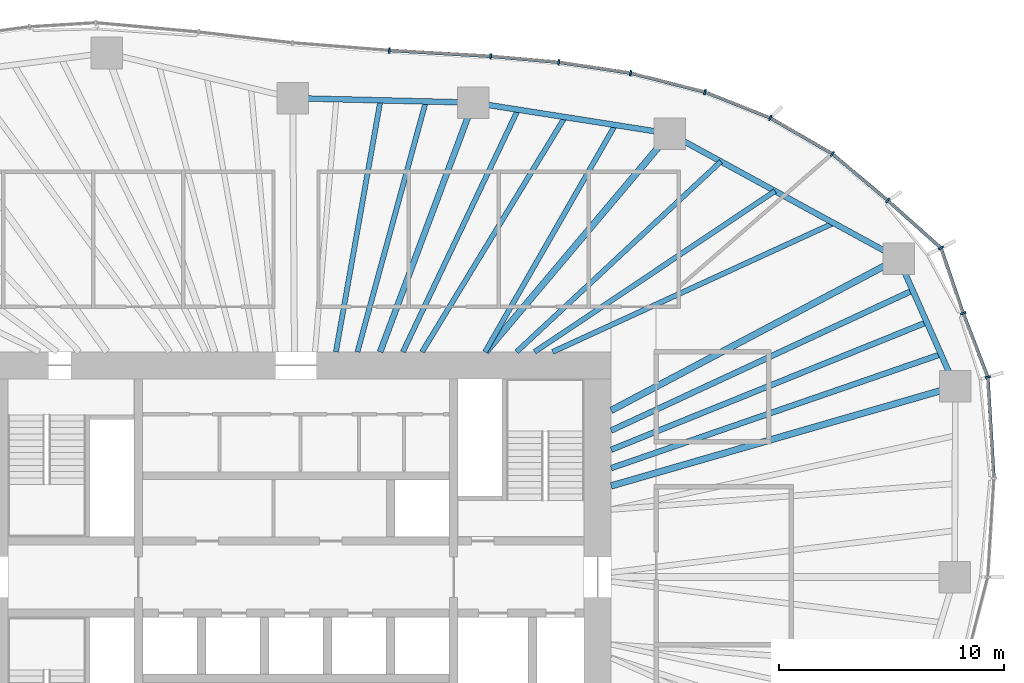
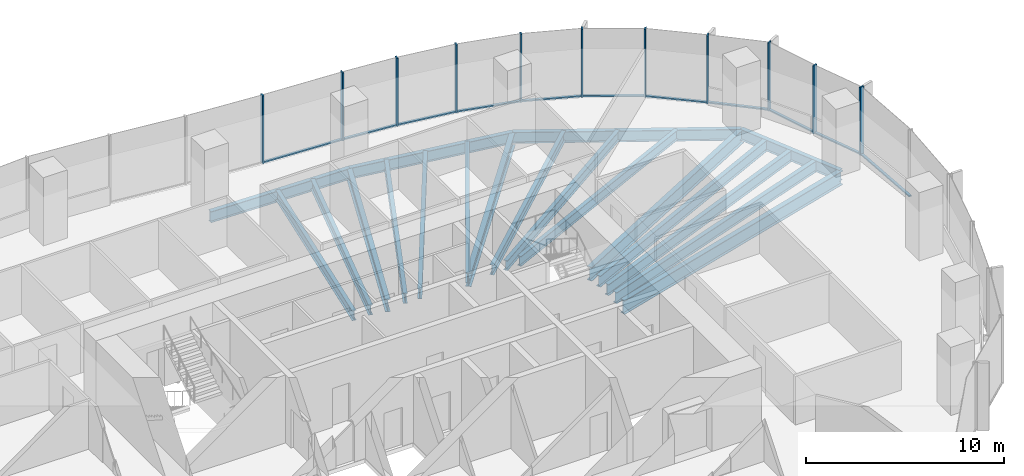
# One storey, part 6 of 18: 22 members, 19 beams, 5 elements without a shape of their own.
"""IFC4 building model written with IfcOpenShell, lengths in metres."""

from ifc_helpers import new_model, si_unit, direction, frame, origin, origin_2d, place, context, subcontext, project, spatial, rectangle, i_section, extrude, material, material_profile, profile_set, type_object, element, aggregate, save


model = new_model("IFC4")

# Units and contexts
model_context = context("Model", 3, precision=1e-05, world=origin(), true_north=direction((0.0, 1.0)))
body_context = subcontext(model_context, "Body", "Model", "MODEL_VIEW")
ifc_project = project(units=[si_unit("LENGTHUNIT", "METRE"), si_unit("AREAUNIT", "SQUARE_METRE"), si_unit("VOLUMEUNIT", "CUBIC_METRE"), si_unit("PLANEANGLEUNIT", "RADIAN"), si_unit("MASSUNIT", "GRAM", prefix="KILO")], contexts=[model_context])

# Site, building, storey
site_placement = place(None, origin())
site = spatial("IfcSite", under=ifc_project, at=site_placement, CompositionType="ELEMENT")
building_placement = place(site_placement, origin())
building = spatial("IfcBuilding", under=site, at=building_placement, Name="Ghaith Harvest Tower", CompositionType="ELEMENT")
storey_placement = place(building_placement, frame((0.0, 0.0, 172.199951171875)))
storey = spatial("IfcBuildingStorey", under=building, at=storey_placement, Name="L37", CompositionType="ELEMENT", Elevation=172.199951171875)

# Curtain wall, members
ifc_material_1 = material(Name="Black anodised aluminium and fritted glass", Category="aluminium")
curtain_wall_type = type_object("IfcCurtainWallType", Name="CW-L CURTAIN WALL", PredefinedType="NOTDEFINED", material=ifc_material_1)
curtain_wall_1_placement = place(storey_placement, origin())
curtain_wall_1 = element("IfcCurtainWall", 1, at=curtain_wall_1_placement, inside=storey, type_object=curtain_wall_type, Name="Curtain wall CW-L bay 02 L37", PredefinedType="NOTDEFINED")
ifc_material_2 = material(Name="Aluminium, black anodised", Category="aluminium")
ifc_material_profile_1 = material_profile(ifc_material_2, rectangle(XDim=0.080078125, YDim=0.239990234375, at=origin_2d()), Name="CW-L MULLION 80x240")
ifc_profile_set_1 = profile_set([ifc_material_profile_1], Name="Aluminium, black anodised")
member_type_1 = type_object("IfcMemberType", Name="CW-L MULLION 80x240", PredefinedType="MULLION", material=ifc_profile_set_1)
member_1_placement = place(storey_placement, frame((30.727294921875, 8.880859375, 0.0), z_axis=(0.0, 0.0, 1.0), x_axis=(-0.183070248196, 0.983099834313, 0.0)))
member_1 = element("IfcMember", 2, at=member_1_placement, type_object=member_type_1, Name="CW-L mullion 1 bay 02 L37", PredefinedType="MULLION", context=body_context, shape_type="SweptSolid", body=[
    extrude(rectangle(XDim=0.080078125, YDim=0.239990234375, at=origin_2d()), origin(), (0.0, 0.0, 1.0), 4.199951171875),
])
member_2_placement = place(storey_placement, frame((29.634521484375, 11.7158203125, 0.0), z_axis=(0.0, 0.0, 1.0), x_axis=(-0.340771198528, 0.940146260033, 0.0)))
member_2 = element("IfcMember", 3, at=member_2_placement, type_object=member_type_1, Name="CW-L mullion 2 bay 02 L37", PredefinedType="MULLION", context=body_context, shape_type="SweptSolid", body=[
    extrude(rectangle(XDim=0.080078125, YDim=0.239990234375, at=origin_2d()), origin(), (0.0, 0.0, 1.0), 4.199951171875),
])
member_3_placement = place(storey_placement, frame((28.64990234375, 14.61181640625, 0.0), z_axis=(0.0, 0.0, 1.0), x_axis=(-0.556324287652, 0.830965274225, 0.0)))
member_3 = element("IfcMember", 4, at=member_3_placement, type_object=member_type_1, Name="CW-L mullion 3 bay 02 L37", PredefinedType="MULLION", context=body_context, shape_type="SweptSolid", body=[
    extrude(rectangle(XDim=0.080078125, YDim=0.239990234375, at=origin_2d()), origin(), (0.0, 0.0, 1.0), 4.199951171875),
])

curtain_wall_2_placement = place(storey_placement, origin())
curtain_wall_2 = element("IfcCurtainWall", 5, at=curtain_wall_2_placement, inside=storey, type_object=curtain_wall_type, Name="Curtain wall CW-L bay 03 L37", PredefinedType="NOTDEFINED")
member_4_placement = place(storey_placement, frame((26.28076171875, 16.725341796875, 0.0), z_axis=(0.0, 0.0, 1.0), x_axis=(-0.755999423268, 0.654572281737, 0.0)))
member_4 = element("IfcMember", 6, at=member_4_placement, type_object=member_type_1, Name="CW-L mullion 1 bay 03 L37", PredefinedType="MULLION", context=body_context, shape_type="SweptSolid", body=[
    extrude(rectangle(XDim=0.080078125, YDim=0.239990234375, at=origin_2d()), origin(), (0.0, 0.0, 1.0), 4.199951171875),
])
member_5_placement = place(storey_placement, frame((23.82177734375, 18.792236328125, 0.0), z_axis=(0.0, 0.0, 1.0), x_axis=(-0.818228862146, 0.574892624018, 0.0)))
member_5 = element("IfcMember", 7, at=member_5_placement, type_object=member_type_1, Name="CW-L mullion 2 bay 03 L37", PredefinedType="MULLION", context=body_context, shape_type="SweptSolid", body=[
    extrude(rectangle(XDim=0.080078125, YDim=0.239990234375, at=origin_2d()), origin(), (0.0, 0.0, 1.0), 4.199951171875),
])
member_6_placement = place(storey_placement, frame((21.066162109375, 20.38916015625, 0.0), z_axis=(0.0, 0.0, 1.0), x_axis=(-0.899713343282, 0.436481270985, 0.0)))
member_6 = element("IfcMember", 8, at=member_6_placement, type_object=member_type_1, Name="CW-L mullion 3 bay 03 L37", PredefinedType="MULLION", context=body_context, shape_type="SweptSolid", body=[
    extrude(rectangle(XDim=0.080078125, YDim=0.239990234375, at=origin_2d()), origin(), (0.0, 0.0, 1.0), 4.199951171875),
])

curtain_wall_3_placement = place(storey_placement, origin())
curtain_wall_3 = element("IfcCurtainWall", 9, at=curtain_wall_3_placement, inside=storey, type_object=curtain_wall_type, Name="Curtain wall CW-L bay 04 L37", PredefinedType="NOTDEFINED")
member_7_placement = place(storey_placement, frame((18.162353515625, 21.537841796875, 0.0), z_axis=(0.0, 0.0, 1.0), x_axis=(-0.952152258113, 0.30562407852, 0.0)))
member_7 = element("IfcMember", 10, at=member_7_placement, type_object=member_type_1, Name="CW-L mullion 1 bay 04 L37", PredefinedType="MULLION", context=body_context, shape_type="SweptSolid", body=[
    extrude(rectangle(XDim=0.080078125, YDim=0.239990234375, at=origin_2d()), origin(), (0.0, 0.0, 1.0), 4.199951171875),
])
member_8_placement = place(storey_placement, frame((14.86474609375, 22.379638671875, 0.0), z_axis=(0.0, 0.0, 1.0), x_axis=(-0.979751952122, 0.200215165041, 0.0)))
member_8 = element("IfcMember", 11, at=member_8_placement, type_object=member_type_1, Name="CW-L mullion 2 bay 04 L37", PredefinedType="MULLION", context=body_context, shape_type="SweptSolid", body=[
    extrude(rectangle(XDim=0.080078125, YDim=0.239990234375, at=origin_2d()), origin(), (0.0, 0.0, 1.0), 4.199951171875),
])
member_9_placement = place(storey_placement, frame((11.672607421875, 22.864013671875, 0.0), z_axis=(0.0, 0.0, 1.0), x_axis=(-0.992800497873, 0.119779678673, 0.0)))
member_9 = element("IfcMember", 12, at=member_9_placement, type_object=member_type_1, Name="CW-L mullion 3 bay 04 L37", PredefinedType="MULLION", context=body_context, shape_type="SweptSolid", body=[
    extrude(rectangle(XDim=0.080078125, YDim=0.239990234375, at=origin_2d()), origin(), (0.0, 0.0, 1.0), 4.199951171875),
])

curtain_wall_4_placement = place(storey_placement, origin())
curtain_wall_4 = element("IfcCurtainWall", 13, at=curtain_wall_4_placement, inside=storey, type_object=curtain_wall_type, Name="Curtain wall CW-L bay 05 L37", PredefinedType="NOTDEFINED")
member_10_placement = place(storey_placement, frame((8.646728515625, 23.1298828125, 0.0), z_axis=(0.0, 0.0, 1.0), x_axis=(-0.997558767319, 0.069831982257, 0.0)))
member_10 = element("IfcMember", 14, at=member_10_placement, type_object=member_type_1, Name="CW-L mullion 1 bay 05 L37", PredefinedType="MULLION", context=body_context, shape_type="SweptSolid", body=[
    extrude(rectangle(XDim=0.080078125, YDim=0.239990234375, at=origin_2d()), origin(), (0.0, 0.0, 1.0), 4.199951171875),
])
member_11_placement = place(storey_placement, frame((4.146728515625, 23.390869140625, 0.0), z_axis=(0.0, 0.0, 1.0), x_axis=(-0.997689895047, 0.067932858925, 0.0)))
member_11 = element("IfcMember", 15, at=member_11_placement, type_object=member_type_1, Name="CW-L mullion 2 bay 05 L37", PredefinedType="MULLION", context=body_context, shape_type="SweptSolid", body=[
    extrude(rectangle(XDim=0.080078125, YDim=0.239990234375, at=origin_2d()), origin(), (0.0, 0.0, 1.0), 4.199951171875),
])

# Curtain wall, member
curtain_wall_5_placement = place(storey_placement, origin())
curtain_wall_5 = element("IfcCurtainWall", 16, at=curtain_wall_5_placement, inside=storey, type_object=curtain_wall_type, Name="Curtain wall CW-L bay 01 L37", PredefinedType="NOTDEFINED")
ifc_material_3 = material(Name="Aluminium, black anodised", Category="aluminium")
ifc_material_profile_2 = material_profile(ifc_material_3, rectangle(XDim=0.14990234375, YDim=0.080078125, at=origin_2d()), Name="CW-L TRANSOM 150x80")
ifc_profile_set_2 = profile_set([ifc_material_profile_2], Name="Aluminium, black anodised")
member_type_2 = type_object("IfcMemberType", Name="CW-L TRANSOM 150x80", PredefinedType="USERDEFINED", material=ifc_profile_set_2)
member_12_placement = place(storey_placement, frame((30.996337890625, 4.4296875, 0.0400390625), z_axis=(-0.060328261132, 0.99817859169, 0.0), x_axis=(-0.99817859169, -0.060328261132, 0.0)))
member_12 = element("IfcMember", 17, at=member_12_placement, type_object=member_type_2, Name="CW-L transom 2 bay 01 L37", ObjectType="TRANSOM", PredefinedType="USERDEFINED", context=body_context, shape_type="SweptSolid", body=[
    extrude(rectangle(XDim=0.14990234375, YDim=0.080078125, at=origin_2d()), origin(), (0.0, 0.0, 1.0), 4.419189453125),
])
aggregate(curtain_wall_5, [member_12])

# Member
member_13_placement = place(storey_placement, frame((30.712890625, 8.918212890625, 0.0400390625), z_axis=(-0.359637050526, 0.933092274048, 0.0), x_axis=(-0.933092274048, -0.359637050526, 0.0)))
member_13 = element("IfcMember", 18, at=member_13_placement, type_object=member_type_2, Name="CW-L transom 1 bay 02 L37", ObjectType="TRANSOM", PredefinedType="USERDEFINED", context=body_context, shape_type="SweptSolid", body=[
    extrude(rectangle(XDim=0.14990234375, YDim=0.080078125, at=origin_2d()), origin(), (0.0, 0.0, 1.0), 2.95849609375),
])

member_14_placement = place(storey_placement, frame((29.62158203125, 11.75390625, 0.0400390625), z_axis=(-0.321877752664, 0.946781237847, 0.0), x_axis=(-0.946781237847, -0.321877752664, 0.0)))
member_14 = element("IfcMember", 19, at=member_14_placement, type_object=member_type_2, Name="CW-L transom 2 bay 02 L37", ObjectType="TRANSOM", PredefinedType="USERDEFINED", context=body_context, shape_type="SweptSolid", body=[
    extrude(rectangle(XDim=0.14990234375, YDim=0.080078125, at=origin_2d()), origin(), (0.0, 0.0, 1.0), 2.978515625),
])

member_15_placement = place(storey_placement, frame((28.6201171875, 14.638427734375, 0.0400390625), z_axis=(-0.74622871112, 0.665689650438, 0.0), x_axis=(-0.665689650438, -0.74622871112, 0.0)))
member_15 = element("IfcMember", 20, at=member_15_placement, type_object=member_type_2, Name="CW-L transom 3 bay 02 L37", ObjectType="TRANSOM", PredefinedType="USERDEFINED", context=body_context, shape_type="SweptSolid", body=[
    extrude(rectangle(XDim=0.14990234375, YDim=0.080078125, at=origin_2d()), origin(), (0.0, 0.0, 1.0), 3.094970703125),
])

aggregate(curtain_wall_1, [member_1, member_13, member_2, member_14, member_3, member_15])

member_16_placement = place(storey_placement, frame((26.25, 16.7509765625, 0.0400390625), z_axis=(-0.765428400685, 0.643521066808, 0.0), x_axis=(-0.643521066808, -0.765428400685, 0.0)))
member_16 = element("IfcMember", 21, at=member_16_placement, type_object=member_type_2, Name="CW-L transom 1 bay 03 L37", ObjectType="TRANSOM", PredefinedType="USERDEFINED", context=body_context, shape_type="SweptSolid", body=[
    extrude(rectangle(XDim=0.14990234375, YDim=0.080078125, at=origin_2d()), origin(), (0.0, 0.0, 1.0), 3.132080078125),
])

member_17_placement = place(storey_placement, frame((23.787353515625, 18.812255859375, 0.0400390625), z_axis=(-0.865212673937, 0.50140505468, 0.0), x_axis=(-0.50140505468, -0.865212673937, 0.0)))
member_17 = element("IfcMember", 22, at=member_17_placement, type_object=member_type_2, Name="CW-L transom 2 bay 03 L37", ObjectType="TRANSOM", PredefinedType="USERDEFINED", context=body_context, shape_type="SweptSolid", body=[
    extrude(rectangle(XDim=0.14990234375, YDim=0.080078125, at=origin_2d()), origin(), (0.0, 0.0, 1.0), 3.10498046875),
])

member_18_placement = place(storey_placement, frame((21.029052734375, 20.40380859375, 0.0400390625), z_axis=(-0.929880954826, 0.367860584804, 0.0), x_axis=(-0.367860584804, -0.929880954826, 0.0)))
member_18 = element("IfcMember", 23, at=member_18_placement, type_object=member_type_2, Name="CW-L transom 3 bay 03 L37", ObjectType="TRANSOM", PredefinedType="USERDEFINED", context=body_context, shape_type="SweptSolid", body=[
    extrude(rectangle(XDim=0.14990234375, YDim=0.080078125, at=origin_2d()), origin(), (0.0, 0.0, 1.0), 3.04296875),
])

aggregate(curtain_wall_2, [member_4, member_16, member_5, member_17, member_6, member_18])

member_19_placement = place(storey_placement, frame((18.12353515625, 21.5478515625, 0.0400390625), z_axis=(-0.968942433805, 0.247286392614, 0.0), x_axis=(-0.247286392614, -0.968942433805, 0.0)))
member_19 = element("IfcMember", 24, at=member_19_placement, type_object=member_type_2, Name="CW-L transom 1 bay 04 L37", ObjectType="TRANSOM", PredefinedType="USERDEFINED", context=body_context, shape_type="SweptSolid", body=[
    extrude(rectangle(XDim=0.14990234375, YDim=0.080078125, at=origin_2d()), origin(), (0.0, 0.0, 1.0), 3.3232421875),
])

member_20_placement = place(storey_placement, frame((14.8251953125, 22.3857421875, 0.0400390625), z_axis=(-0.988680676153, 0.150035064572, 0.0), x_axis=(-0.150035064572, -0.988680676153, 0.0)))
member_20 = element("IfcMember", 25, at=member_20_placement, type_object=member_type_2, Name="CW-L transom 2 bay 04 L37", ObjectType="TRANSOM", PredefinedType="USERDEFINED", context=body_context, shape_type="SweptSolid", body=[
    extrude(rectangle(XDim=0.14990234375, YDim=0.080078125, at=origin_2d()), origin(), (0.0, 0.0, 1.0), 3.148681640625),
])

member_21_placement = place(storey_placement, frame((11.632568359375, 22.86767578125, 0.0400390625), z_axis=(-0.996171193061, 0.087423990507, 0.0), x_axis=(-0.087423990507, -0.996171193061, 0.0)))
member_21 = element("IfcMember", 26, at=member_21_placement, type_object=member_type_2, Name="CW-L transom 3 bay 04 L37", ObjectType="TRANSOM", PredefinedType="USERDEFINED", context=body_context, shape_type="SweptSolid", body=[
    extrude(rectangle(XDim=0.14990234375, YDim=0.080078125, at=origin_2d()), origin(), (0.0, 0.0, 1.0), 2.957275390625),
])

aggregate(curtain_wall_3, [member_7, member_19, member_8, member_20, member_9, member_21])

member_22_placement = place(storey_placement, frame((8.60693359375, 23.132080078125, 0.0400390625), z_axis=(-0.998319515187, 0.057949509028, 0.0), x_axis=(-0.057949509028, -0.998319515187, 0.0)))
member_22 = element("IfcMember", 27, at=member_22_placement, type_object=member_type_2, Name="CW-L transom 1 bay 05 L37", ObjectType="TRANSOM", PredefinedType="USERDEFINED", context=body_context, shape_type="SweptSolid", body=[
    extrude(rectangle(XDim=0.14990234375, YDim=0.080078125, at=origin_2d()), origin(), (0.0, 0.0, 1.0), 4.427734375),
])

aggregate(curtain_wall_4, [member_10, member_22, member_11])

# Beams
ifc_material_4 = material(Name="Steel ASTM A992 Grade 50", Category="steel")
ifc_material_profile_3 = material_profile(ifc_material_4, i_section(OverallWidth=0.25390625, OverallDepth=0.68408203125, WebThickness=0.012451171875, FlangeThickness=0.018798828125, at=origin_2d()), Name="W690X140")
ifc_profile_set_3 = profile_set([ifc_material_profile_3], Name="Steel ASTM A992 Grade 50")
beam_type_1 = type_object("IfcBeamType", Name="E690-140 W690X140", PredefinedType="SPANDREL", material=ifc_profile_set_3)
beam_1_placement = place(storey_placement, frame((29.285888671875, 8.464111328125, -0.511962890625), z_axis=(-0.405635615749, 0.914034872002, 0.0), x_axis=(-0.914034872002, -0.405635615749, 0.0)))
element("IfcBeam", 28, at=beam_1_placement, inside=storey, type_object=beam_type_1, Name="Edge beam E02 L37", PredefinedType="SPANDREL", context=body_context, shape_type="SweptSolid", body=[
    extrude(i_section(OverallWidth=0.25390625, OverallDepth=0.68408203125, WebThickness=0.012451171875, FlangeThickness=0.018798828125, at=origin_2d()), origin(), (0.0, 0.0, 1.0), 6.21728515625),
])
beam_2_placement = place(storey_placement, frame((26.763916015625, 14.14697265625, -0.511962890625), z_axis=(-0.877588218279, 0.479415184509, 0.0), x_axis=(-0.479415184509, -0.877588218279, 0.0)))
element("IfcBeam", 29, at=beam_2_placement, inside=storey, type_object=beam_type_1, Name="Edge beam E03 L37", PredefinedType="SPANDREL", context=body_context, shape_type="SweptSolid", body=[
    extrude(i_section(OverallWidth=0.25390625, OverallDepth=0.68408203125, WebThickness=0.012451171875, FlangeThickness=0.018798828125, at=origin_2d()), origin(), (0.0, 0.0, 1.0), 11.57275390625),
])
beam_3_placement = place(storey_placement, frame((16.60791015625, 19.695068359375, -0.511962890625), z_axis=(-0.987788485872, 0.155800857439, 0.0), x_axis=(-0.155800857439, -0.987788485872, 0.0)))
element("IfcBeam", 30, at=beam_3_placement, inside=storey, type_object=beam_type_1, Name="Edge beam E04 L37", PredefinedType="SPANDREL", context=body_context, shape_type="SweptSolid", body=[
    extrude(i_section(OverallWidth=0.25390625, OverallDepth=0.68408203125, WebThickness=0.012451171875, FlangeThickness=0.018798828125, at=origin_2d()), origin(), (0.0, 0.0, 1.0), 8.837890625),
])
beam_4_placement = place(storey_placement, frame((7.8779296875, 21.072021484375, -0.511962890625), z_axis=(-0.999692679676, 0.024790042413, 0.0), x_axis=(-0.024790042413, -0.999692679676, 0.0)))
element("IfcBeam", 31, at=beam_4_placement, inside=storey, type_object=beam_type_1, Name="Edge beam E05 L37", PredefinedType="SPANDREL", context=body_context, shape_type="SweptSolid", body=[
    extrude(i_section(OverallWidth=0.25390625, OverallDepth=0.68408203125, WebThickness=0.012451171875, FlangeThickness=0.018798828125, at=origin_2d()), origin(), (0.0, 0.0, 1.0), 8.0263671875),
])
ifc_material_5 = material(Name="Steel ASTM A992 Grade 50", Category="steel")
ifc_material_profile_4 = material_profile(ifc_material_5, i_section(OverallWidth=0.26806640625, OverallDepth=0.77001953125, WebThickness=0.015625, FlangeThickness=0.025390625, at=origin_2d()), Name="W760X196")
ifc_profile_set_4 = profile_set([ifc_material_profile_4], Name="Steel ASTM A992 Grade 50")
beam_type_2 = type_object("IfcBeamType", Name="G760-196 W760X196", PredefinedType="BEAM", material=ifc_profile_set_4)
beam_5_placement = place(storey_placement, frame((3.73828125, 10.0, -0.554931640625), z_axis=(0.350206582147, 0.936672488024, 0.0), x_axis=(-0.936672488024, 0.350206582147, 0.0)))
element("IfcBeam", 32, at=beam_5_placement, inside=storey, type_object=beam_type_2, Name="Radial girder G05 L37", PredefinedType="BEAM", context=body_context, shape_type="SweptSolid", body=[
    extrude(i_section(OverallWidth=0.26806640625, OverallDepth=0.77001953125, WebThickness=0.015625, FlangeThickness=0.025390625, at=origin_2d()), origin(), (0.0, 0.0, 1.0), 11.820556640625),
])
ifc_material_6 = material(Name="Steel ASTM A992 Grade 50", Category="steel")
ifc_material_profile_5 = material_profile(ifc_material_6, i_section(OverallWidth=0.2939453125, OverallDepth=0.85107421875, WebThickness=0.01611328125, FlangeThickness=0.02685546875, at=origin_2d()), Name="W840X226")
ifc_profile_set_5 = profile_set([ifc_material_profile_5], Name="Steel ASTM A992 Grade 50")
beam_type_3 = type_object("IfcBeamType", Name="G840-226 W840X226", PredefinedType="BEAM", material=ifc_profile_set_5)
beam_6_placement = place(storey_placement, frame((14.0, 4.04638671875, -0.595458984375), z_axis=(0.960683993303, 0.27764413376, 0.0), x_axis=(-0.27764413376, 0.960683993303, 0.0)))
element("IfcBeam", 33, at=beam_6_placement, inside=storey, type_object=beam_type_3, Name="Radial girder G02 L37", PredefinedType="BEAM", context=body_context, shape_type="SweptSolid", body=[
    extrude(i_section(OverallWidth=0.2939453125, OverallDepth=0.85107421875, WebThickness=0.01611328125, FlangeThickness=0.02685546875, at=origin_2d()), origin(), (0.0, 0.0, 1.0), 15.911376953125),
])
beam_7_placement = place(storey_placement, frame((14.0, 7.39990234375, -0.595458984375), z_axis=(0.884082663971, 0.467330550324, 0.0), x_axis=(-0.467330550324, 0.884082663971, 0.0)))
element("IfcBeam", 34, at=beam_7_placement, inside=storey, type_object=beam_type_3, Name="Radial girder G03 L37", PredefinedType="BEAM", context=body_context, shape_type="SweptSolid", body=[
    extrude(i_section(OverallWidth=0.2939453125, OverallDepth=0.85107421875, WebThickness=0.01611328125, FlangeThickness=0.02685546875, at=origin_2d()), origin(), (0.0, 0.0, 1.0), 14.4375),
])
beam_8_placement = place(storey_placement, frame((8.4326171875, 10.0, -0.595458984375), z_axis=(0.644644245772, 0.764482698557, 0.0), x_axis=(-0.764482698557, 0.644644245772, 0.0)))
element("IfcBeam", 35, at=beam_8_placement, inside=storey, type_object=beam_type_3, Name="Radial girder G04 L37", PredefinedType="BEAM", context=body_context, shape_type="SweptSolid", body=[
    extrude(i_section(OverallWidth=0.2939453125, OverallDepth=0.85107421875, WebThickness=0.01611328125, FlangeThickness=0.02685546875, at=origin_2d()), origin(), (0.0, 0.0, 1.0), 12.681884765625),
])
ifc_material_7 = material(Name="Steel ASTM A992 Grade 50", Category="steel")
ifc_material_profile_6 = material_profile(ifc_material_7, i_section(OverallWidth=0.22900390625, OverallDepth=0.612060546875, WebThickness=0.011962890625, FlangeThickness=0.01953125, at=origin_2d()), Name="W610X125")
ifc_profile_set_6 = profile_set([ifc_material_profile_6], Name="Steel ASTM A992 Grade 50")
beam_type_4 = type_object("IfcBeamType", Name="J610-125 W610X125", PredefinedType="JOIST", material=ifc_profile_set_6)
beam_9_placement = place(storey_placement, frame((11.39990234375, 10.0, -0.475830078125), z_axis=(0.909014022454, 0.416765529983, 0.0), x_axis=(-0.416765529983, 0.909014022454, 0.0)))
element("IfcBeam", 36, at=beam_9_placement, inside=storey, type_object=beam_type_4, Name="Joist J03.1 L37", PredefinedType="JOIST", context=body_context, shape_type="SweptSolid", body=[
    extrude(i_section(OverallWidth=0.22900390625, OverallDepth=0.612060546875, WebThickness=0.011962890625, FlangeThickness=0.01953125, at=origin_2d()), origin(), (0.0, 0.0, 1.0), 13.72998046875),
])
beam_10_placement = place(storey_placement, frame((10.60009765625, 10.0, -0.475830078125), z_axis=(0.831116486766, 0.556098359489, 0.0), x_axis=(-0.556098359489, 0.831116486766, 0.0)))
element("IfcBeam", 37, at=beam_10_placement, inside=storey, type_object=beam_type_4, Name="Joist J03.2 L37", PredefinedType="JOIST", context=body_context, shape_type="SweptSolid", body=[
    extrude(i_section(OverallWidth=0.22900390625, OverallDepth=0.612060546875, WebThickness=0.011962890625, FlangeThickness=0.01953125, at=origin_2d()), origin(), (0.0, 0.0, 1.0), 12.84716796875),
])
beam_11_placement = place(storey_placement, frame((9.800048828125, 10.0, -0.475830078125), z_axis=(0.731538123562, 0.681800538116, 0.0), x_axis=(-0.681800538116, 0.731538123562, 0.0)))
element("IfcBeam", 38, at=beam_11_placement, inside=storey, type_object=beam_type_4, Name="Joist J03.3 L37", PredefinedType="JOIST", context=body_context, shape_type="SweptSolid", body=[
    extrude(i_section(OverallWidth=0.22900390625, OverallDepth=0.612060546875, WebThickness=0.011962890625, FlangeThickness=0.01953125, at=origin_2d()), origin(), (0.0, 0.0, 1.0), 12.404052734375),
])
beam_12_placement = place(storey_placement, frame((8.39990234375, 10.0, -0.475830078125), z_axis=(0.497444212127, 0.867495968764, 0.0), x_axis=(-0.867495968764, 0.497444212127, 0.0)))
element("IfcBeam", 39, at=beam_12_placement, inside=storey, type_object=beam_type_4, Name="Joist J04.1 L37", PredefinedType="JOIST", context=body_context, shape_type="SweptSolid", body=[
    extrude(i_section(OverallWidth=0.22900390625, OverallDepth=0.612060546875, WebThickness=0.011962890625, FlangeThickness=0.01953125, at=origin_2d()), origin(), (0.0, 0.0, 1.0), 11.617431640625),
])
beam_13_placement = place(storey_placement, frame((5.60009765625, 10.0, -0.475830078125), z_axis=(0.519863845761, 0.854249133374, 0.0), x_axis=(-0.854249133374, 0.519863845761, 0.0)))
element("IfcBeam", 40, at=beam_13_placement, inside=storey, type_object=beam_type_4, Name="Joist J04.2 L37", PredefinedType="JOIST", context=body_context, shape_type="SweptSolid", body=[
    extrude(i_section(OverallWidth=0.22900390625, OverallDepth=0.612060546875, WebThickness=0.011962890625, FlangeThickness=0.01953125, at=origin_2d()), origin(), (0.0, 0.0, 1.0), 12.209716796875),
])
beam_14_placement = place(storey_placement, frame((4.75, 10.0, -0.475830078125), z_axis=(0.429069356877, 0.903271546651, 0.0), x_axis=(-0.903271546651, 0.429069356877, 0.0)))
element("IfcBeam", 41, at=beam_14_placement, inside=storey, type_object=beam_type_4, Name="Joist J04.3 L37", PredefinedType="JOIST", context=body_context, shape_type="SweptSolid", body=[
    extrude(i_section(OverallWidth=0.22900390625, OverallDepth=0.612060546875, WebThickness=0.011962890625, FlangeThickness=0.01953125, at=origin_2d()), origin(), (0.0, 0.0, 1.0), 11.911376953125),
])
beam_15_placement = place(storey_placement, frame((2.73095703125, 10.0, -0.475830078125), z_axis=(0.263455967932, 0.964671422279, 0.0), x_axis=(-0.964671422279, 0.263455967932, 0.0)))
element("IfcBeam", 42, at=beam_15_placement, inside=storey, type_object=beam_type_4, Name="Joist J05.1 L37", PredefinedType="JOIST", context=body_context, shape_type="SweptSolid", body=[
    extrude(i_section(OverallWidth=0.22900390625, OverallDepth=0.612060546875, WebThickness=0.011962890625, FlangeThickness=0.01953125, at=origin_2d()), origin(), (0.0, 0.0, 1.0), 11.53173828125),
])
beam_16_placement = place(storey_placement, frame((1.772705078125, 10.0, -0.475830078125), z_axis=(0.17455599258, 0.984647249249, 0.0), x_axis=(-0.984647249249, 0.17455599258, 0.0)))
element("IfcBeam", 43, at=beam_16_placement, inside=storey, type_object=beam_type_4, Name="Joist J05.2 L37", PredefinedType="JOIST", context=body_context, shape_type="SweptSolid", body=[
    extrude(i_section(OverallWidth=0.22900390625, OverallDepth=0.612060546875, WebThickness=0.011962890625, FlangeThickness=0.01953125, at=origin_2d()), origin(), (0.0, 0.0, 1.0), 11.3486328125),
])
ifc_material_8 = material(Name="Steel ASTM A992 Grade 50", Category="steel")
ifc_material_profile_7 = material_profile(ifc_material_8, i_section(OverallWidth=0.25390625, OverallDepth=0.68408203125, WebThickness=0.012451171875, FlangeThickness=0.018798828125, at=origin_2d()), Name="W690X140")
ifc_profile_set_7 = profile_set([ifc_material_profile_7], Name="Steel ASTM A992 Grade 50")
beam_type_5 = type_object("IfcBeamType", Name="J690-140 W690X140", PredefinedType="JOIST", material=ifc_profile_set_7)
beam_17_placement = place(storey_placement, frame((14.0, 4.835693359375, -0.511962890625), z_axis=(0.945204964965, 0.32647752481, 0.0), x_axis=(-0.32647752481, 0.945204964965, 0.0)))
element("IfcBeam", 44, at=beam_17_placement, inside=storey, type_object=beam_type_5, Name="Joist J02.1 L37", PredefinedType="JOIST", context=body_context, shape_type="SweptSolid", body=[
    extrude(i_section(OverallWidth=0.25390625, OverallDepth=0.68408203125, WebThickness=0.012451171875, FlangeThickness=0.018798828125, at=origin_2d()), origin(), (0.0, 0.0, 1.0), 15.499755859375),
])
beam_18_placement = place(storey_placement, frame((14.0, 5.653564453125, -0.511962890625), z_axis=(0.927247874511, 0.374448099495, 0.0), x_axis=(-0.374448099495, 0.927247874511, 0.0)))
element("IfcBeam", 45, at=beam_18_placement, inside=storey, type_object=beam_type_5, Name="Joist J02.2 L37", PredefinedType="JOIST", context=body_context, shape_type="SweptSolid", body=[
    extrude(i_section(OverallWidth=0.25390625, OverallDepth=0.68408203125, WebThickness=0.012451171875, FlangeThickness=0.018798828125, at=origin_2d()), origin(), (0.0, 0.0, 1.0), 15.12060546875),
])
beam_19_placement = place(storey_placement, frame((14.0, 6.506103515625, -0.511962890625), z_axis=(0.906865717917, 0.42141970726, 0.0), x_axis=(-0.42141970726, 0.906865717917, 0.0)))
element("IfcBeam", 46, at=beam_19_placement, inside=storey, type_object=beam_type_5, Name="Joist J02.3 L37", PredefinedType="JOIST", context=body_context, shape_type="SweptSolid", body=[
    extrude(i_section(OverallWidth=0.25390625, OverallDepth=0.68408203125, WebThickness=0.012451171875, FlangeThickness=0.018798828125, at=origin_2d()), origin(), (0.0, 0.0, 1.0), 14.768310546875),
])

save(model, "model.ifc")
